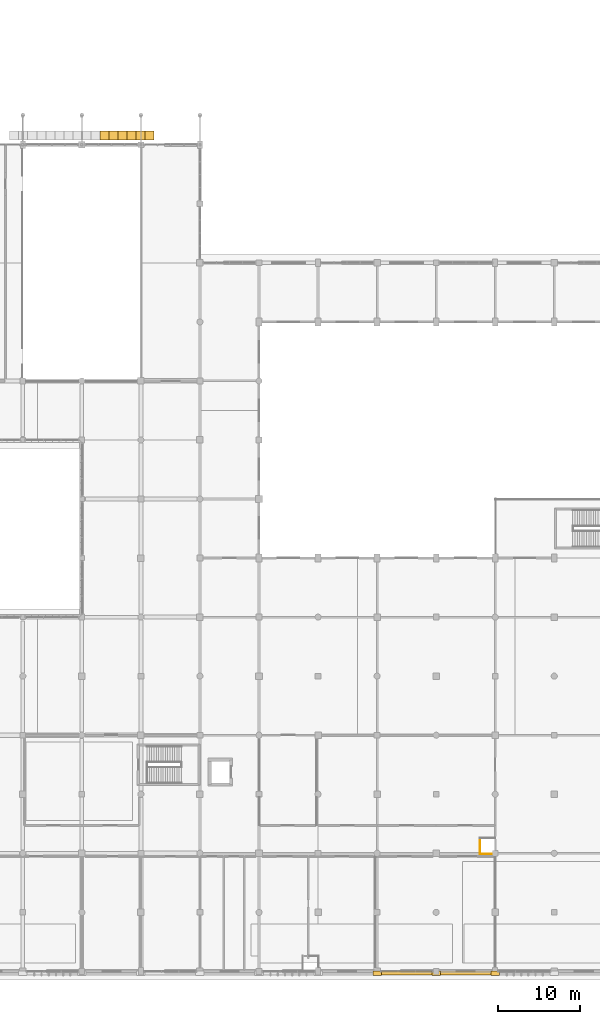
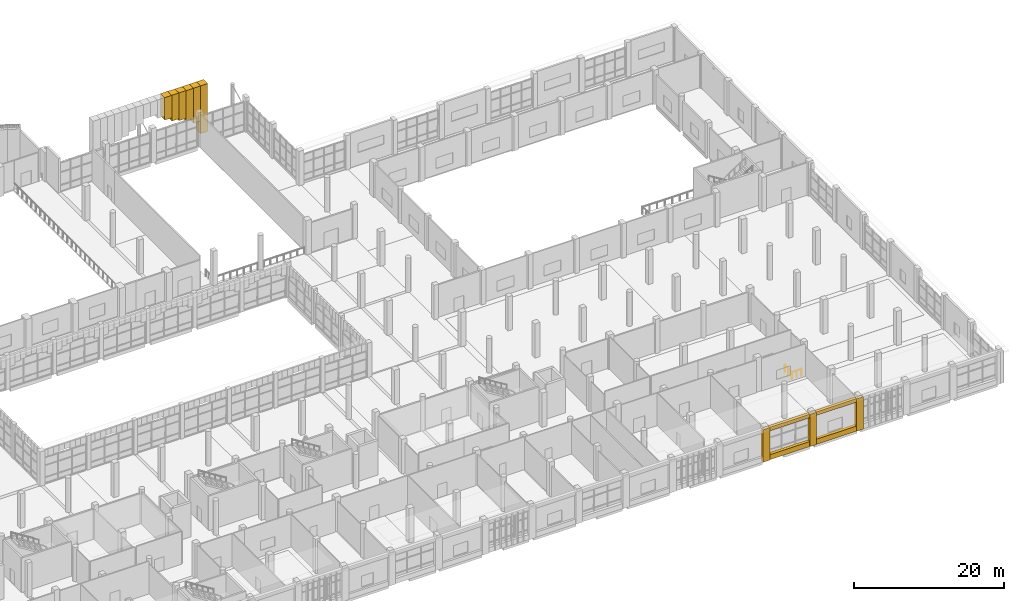
# One storey, part 78 of 80: 13 coverings, 2 railings.
"""IFC4 building model written with IfcOpenShell, lengths in metres."""

import ifcopenshell
import ifcopenshell.guid

model = None  # the IFC model being written
_history = None  # IfcOwnerHistory: only IFC2X3 demands one
_inside = {}  # id of a spatial element -> (the spatial element, [elements in it])
_under = {}  # id of a project, library or spatial element -> (it, [spatial elements below it])
_declared = {}  # id of a project -> (the project, [libraries it declares])
_typed = {}  # id of a type object -> (the type object, [elements of that type])
_made_of = {}  # id of a material, layer set ... -> (it, [elements and type objects made of it])


def new_model(schema):
    """Start an empty IFC model of exactly this schema.

    Asked for "IFC4X3", IfcOpenShell would pick the latest addendum, in which some entities
    have other attributes; the version numbers below select the first issue.
    IFC2X3 requires an IfcOwnerHistory on every rooted entity: one is made here for all.
    """
    global model, _history
    if schema == "IFC4X3":
        model = ifcopenshell.file(schema_version=(4, 3, 0, 0))
    else:
        model = ifcopenshell.file(schema=schema)
    _inside.clear()
    _under.clear()
    _declared.clear()
    _typed.clear()
    _made_of.clear()
    _history = None
    if model.schema == "IFC2X3":
        org = make("IfcOrganization", Name="unknown")
        user = make(
            "IfcPersonAndOrganization",
            ThePerson=make("IfcPerson", FamilyName="unknown"),
            TheOrganization=org,
        )
        app = make(
            "IfcApplication",
            ApplicationDeveloper=org,
            Version="unknown",
            ApplicationFullName="unknown",
            ApplicationIdentifier="unknown",
        )
        _history = make(
            "IfcOwnerHistory",
            OwningUser=user,
            OwningApplication=app,
            ChangeAction="ADDED",
            CreationDate=0,
        )
    return model


def make(cls, **values):
    """One entity of the class cls with the attributes given. An attribute that is None is left unset."""
    return model.create_entity(
        cls, **{name: value for name, value in values.items() if value is not None}
    )


def rooted(cls, **values):
    """An entity with a GlobalId (a new one), such as an element, a storey or a relation."""
    return make(cls, GlobalId=ifcopenshell.guid.new(), OwnerHistory=_history, **values)


def si_unit(unit_type, name, prefix=None):
    """IfcSIUnit, for example si_unit("LENGTHUNIT", "METRE", prefix="MILLI")."""
    return make("IfcSIUnit", UnitType=unit_type, Prefix=prefix, Name=name)


def assignment(units):
    """IfcUnitAssignment: the units of a project."""
    return None if units is None else make("IfcUnitAssignment", Units=units)


def point(xyz):
    """IfcCartesianPoint."""
    return None if xyz is None else make("IfcCartesianPoint", Coordinates=xyz)


def direction(xyz):
    """IfcDirection."""
    return None if xyz is None else make("IfcDirection", DirectionRatios=xyz)


def frame(location, z_axis=None, x_axis=None):
    """IfcAxis2Placement3D, a coordinate frame: its origin and axes. An axis left out is left unset."""
    return make(
        "IfcAxis2Placement3D",
        Location=point(location),
        Axis=direction(z_axis),
        RefDirection=direction(x_axis),
    )


def frame_2d(location, x_axis=None):
    """IfcAxis2Placement2D, a coordinate frame in the plane: its origin and x axis."""
    return make(
        "IfcAxis2Placement2D", Location=point(location), RefDirection=direction(x_axis)
    )


def origin():
    """The frame at (0, 0, 0) with its axes left unset."""
    return frame((0.0, 0.0, 0.0))


def origin_2d():
    """The frame at (0, 0) in the plane with its x axis left unset."""
    return frame_2d((0.0, 0.0))


def place(relative_to, where):
    """IfcLocalPlacement: puts the frame where relative to a parent placement (None: the world)."""
    return make(
        "IfcLocalPlacement", PlacementRelTo=relative_to, RelativePlacement=where
    )


def context(
    kind, dimensions, precision=None, world=None, true_north=None, identifier=None
):
    """IfcGeometricRepresentationContext, for example the 3D "Model" context."""
    return make(
        "IfcGeometricRepresentationContext",
        ContextIdentifier=identifier,
        ContextType=kind,
        CoordinateSpaceDimension=dimensions,
        Precision=precision,
        WorldCoordinateSystem=world,
        TrueNorth=true_north,
    )


def subcontext(parent, identifier, kind, view, scale=None):
    """IfcGeometricRepresentationSubContext, for example "Body" below "Model"."""
    return make(
        "IfcGeometricRepresentationSubContext",
        ContextIdentifier=identifier,
        ContextType=kind,
        ParentContext=parent,
        TargetScale=scale,
        TargetView=view,
    )


def project(units=None, contexts=None):
    """IfcProject with its units and contexts."""
    return rooted(
        "IfcProject",
        Name="project",
        RepresentationContexts=contexts,
        UnitsInContext=assignment(units),
    )


def spatial(cls, under=None, at=None, **own):
    """A site, building, storey or space (cls), placed at a placement, below another one or the project."""
    s = rooted(cls, ObjectPlacement=at, **own)
    if under is not None:
        _under.setdefault(under.id(), (under, []))[1].append(s)
    return s


def polyline(points):
    """IfcPolyline through the points."""
    return make("IfcPolyline", Points=[point(p) for p in points])


def profile(cls, at=None, kind="AREA", **sizes):
    """A parametric profile (cls). Its sizes go by their IFC names, for example OverallWidth=200.0."""
    return make(cls, ProfileType=kind, Position=at, **sizes)


def rectangle(**sizes):
    """IfcRectangleProfileDef."""
    return profile("IfcRectangleProfileDef", **sizes)


def circle(**sizes):
    """IfcCircleProfileDef."""
    return profile("IfcCircleProfileDef", **sizes)


def outline(outer, holes=None, kind="AREA"):
    """IfcArbitraryClosedProfileDef: a profile drawn as a closed curve; with holes, ...WithVoids."""
    if holes is None:
        return make("IfcArbitraryClosedProfileDef", ProfileType=kind, OuterCurve=outer)
    return make(
        "IfcArbitraryProfileDefWithVoids",
        ProfileType=kind,
        OuterCurve=outer,
        InnerCurves=holes,
    )


def extrude(swept, where, along, depth):
    """IfcExtrudedAreaSolid: the profile swept, set in the frame where, extruded along a direction by depth."""
    return make(
        "IfcExtrudedAreaSolid",
        SweptArea=swept,
        Position=where,
        ExtrudedDirection=direction(along),
        Depth=depth,
    )


def shape(context_of_items, identifier, shape_type, items):
    """IfcShapeRepresentation: the items that make up one representation, for example the "Body"."""
    return make(
        "IfcShapeRepresentation",
        ContextOfItems=context_of_items,
        RepresentationIdentifier=identifier,
        RepresentationType=shape_type,
        Items=items,
    )


def material(Name=None, Category=None):
    """IfcMaterial."""
    return make("IfcMaterial", Name=Name, Category=Category)


def layer(
    of_material, thickness, ventilated=None, Name=None, Category=None, Priority=None
):
    """IfcMaterialLayer: one layer of a wall or slab, of a material (None: an air gap)."""
    return make(
        "IfcMaterialLayer",
        Material=of_material,
        LayerThickness=thickness,
        IsVentilated=ventilated,
        Name=Name,
        Category=Category,
        Priority=Priority,
    )


def layer_set(layers, Name=None):
    """IfcMaterialLayerSet."""
    return make("IfcMaterialLayerSet", MaterialLayers=layers, LayerSetName=Name)


def made_of(thing, what):
    """Note that an element or type object is made of a material, layer set ...; save() writes the relation."""
    if what is not None:
        _made_of.setdefault(what.id(), (what, []))[1].append(thing)
    return thing


def type_object(cls, material=None, **own):
    """A type object (cls), such as IfcWallType, which elements share."""
    return made_of(rooted(cls, **own), material)


def element(
    cls,
    number,
    at=None,
    inside=None,
    cuts=None,
    type_object=None,
    material=None,
    context=None,
    identifier="Body",
    shape_type=None,
    held_by="IfcProductDefinitionShape",
    body=None,
    shapes=None,
    **own,
):
    """One element of the class cls, such as IfcWall. Its Tag is "e" and its number.

    at: its placement. inside: the storey or other place that contains it. cuts: it is an
    opening in that element (IfcRelVoidsElement). A single representation is given by context,
    identifier, shape_type and body (its items); several are given by shapes. held_by: the class
    of the entity that holds the representations. save() writes the other relations.
    """
    e = rooted(cls, Tag="e%d" % number, ObjectPlacement=at, **own)
    if body is not None:
        shapes = [shape(context, identifier, shape_type, body)]
    if shapes is not None:
        e.Representation = make(held_by, Representations=shapes)
    if inside is not None:
        _inside.setdefault(inside.id(), (inside, []))[1].append(e)
    if cuts is not None:
        rooted(
            "IfcRelVoidsElement", RelatingBuildingElement=cuts, RelatedOpeningElement=e
        )
    if type_object is not None:
        _typed.setdefault(type_object.id(), (type_object, []))[1].append(e)
    return made_of(e, material)


def aggregate(whole, parts):
    """IfcRelAggregates: a whole, such as a stair, and the parts it consists of."""
    return rooted("IfcRelAggregates", RelatingObject=whole, RelatedObjects=parts)


def save(model, path):
    """Write the relations noted so far, then the file.

    IfcRelAggregates (storeys below a building ...), IfcRelContainedInSpatialStructure (elements
    in a storey), IfcRelDefinesByType, IfcRelAssociatesMaterial and IfcRelDeclares: one each for
    every whole, place, type object, material and project.
    """
    for whole, parts in _under.values():
        aggregate(whole, parts)
    for where, things in _inside.values():
        rooted(
            "IfcRelContainedInSpatialStructure",
            RelatedElements=things,
            RelatingStructure=where,
        )
    for kind, things in _typed.values():
        rooted("IfcRelDefinesByType", RelatedObjects=things, RelatingType=kind)
    for what, things in _made_of.values():
        rooted("IfcRelAssociatesMaterial", RelatedObjects=things, RelatingMaterial=what)
    for by, libraries in _declared.values():
        rooted("IfcRelDeclares", RelatingContext=by, RelatedDefinitions=libraries)
    model.write(path)


model = new_model("IFC4")

# Units and contexts
model_context = context("Model", 3, precision=1e-05, world=origin(), true_north=direction((0.0, 1.0)))
body_context = subcontext(model_context, "Body", "Model", "MODEL_VIEW")
ifc_project = project(units=[si_unit("LENGTHUNIT", "METRE"), si_unit("AREAUNIT", "SQUARE_METRE"), si_unit("VOLUMEUNIT", "CUBIC_METRE"), si_unit("PLANEANGLEUNIT", "RADIAN"), si_unit("MASSUNIT", "GRAM", prefix="KILO")], contexts=[model_context])

# Site, building, storey
site_placement = place(None, origin())
site = spatial("IfcSite", under=ifc_project, at=site_placement, CompositionType="ELEMENT")
building_placement = place(site_placement, origin())
building = spatial("IfcBuilding", under=site, at=building_placement, Name="Sardonyx Promenade Sports Hall", CompositionType="ELEMENT")
storey_placement = place(building_placement, frame((0.0, 0.0, 5.60009765625)))
storey = spatial("IfcBuildingStorey", under=building, at=storey_placement, Name="L01", CompositionType="ELEMENT", Elevation=5.60009765625)

# Coverings
ifc_material_1 = material(Name="Dressed Cape red sandstone ashlar", Category="masonry")
ifc_layer_1 = layer(ifc_material_1, 0.06005859375)
ifc_layer_set_1 = layer_set([ifc_layer_1], Name="Cov_Cladding_Sandstone")
covering_type_1 = type_object("IfcCoveringType", Name="Cov_Cladding_Sandstone", PredefinedType="CLADDING", material=ifc_layer_set_1)
covering_1_placement = place(storey_placement, origin())
element("IfcCovering", 1, at=covering_1_placement, inside=storey, type_object=covering_type_1, Name="South sandstone bay pier casing L01 #18", PredefinedType="CLADDING", context=body_context, shape_type="SweptSolid", body=[
    extrude(outline(polyline([(129.080078125, -0.52001953125), (130.1201171875, -0.52001953125), (130.1201171875, 0.02001953125), (129.080078125, 0.02001953125), (129.080078125, -0.52001953125)])), origin(), (0.0, 0.0, 1.0), 5.25),
])
covering_2_placement = place(storey_placement, origin())
element("IfcCovering", 2, at=covering_2_placement, inside=storey, type_object=covering_type_1, Name="South sandstone bay pier casing L01 #19", PredefinedType="CLADDING", context=body_context, shape_type="SweptSolid", body=[
    extrude(outline(polyline([(136.280029296875, -0.52001953125), (137.320068359375, -0.52001953125), (137.320068359375, 0.02001953125), (136.280029296875, 0.02001953125), (136.280029296875, -0.52001953125)])), origin(), (0.0, 0.0, 1.0), 5.25),
])
covering_3_placement = place(storey_placement, origin())
element("IfcCovering", 3, at=covering_3_placement, inside=storey, type_object=covering_type_1, Name="South sandstone bay pier casing L01 #20", PredefinedType="CLADDING", context=body_context, shape_type="SweptSolid", body=[
    extrude(outline(polyline([(143.47998046875, -0.52001953125), (144.52001953125, -0.52001953125), (144.52001953125, 0.02001953125), (143.47998046875, 0.02001953125), (143.47998046875, -0.52001953125)])), origin(), (0.0, 0.0, 1.0), 5.25),
])
covering_4_placement = place(storey_placement, origin())
element("IfcCovering", 4, at=covering_4_placement, inside=storey, type_object=covering_type_1, Name="South sandstone sill spandrel L01 #3", PredefinedType="CLADDING", context=body_context, shape_type="SweptSolid", body=[
    extrude(outline(polyline([(137.320068359375, -0.4599609375), (143.47998046875, -0.4599609375), (143.47998046875, 0.02001953125), (137.320068359375, 0.02001953125), (137.320068359375, -0.4599609375)])), origin(), (0.0, 0.0, 1.0), 0.81982421875),
])
covering_5_placement = place(storey_placement, frame((0.0, 0.0, 4.699951171875)))
element("IfcCovering", 5, at=covering_5_placement, inside=storey, type_object=covering_type_1, Name="South sandstone lintel frieze L01 #3", PredefinedType="CLADDING", context=body_context, shape_type="SweptSolid", body=[
    extrude(outline(polyline([(137.320068359375, -0.4599609375), (143.47998046875, -0.4599609375), (143.47998046875, 0.02001953125), (137.320068359375, 0.02001953125), (137.320068359375, -0.4599609375)])), origin(), (0.0, 0.0, 1.0), 0.550048828125),
])
covering_6_placement = place(storey_placement, origin())
element("IfcCovering", 6, at=covering_6_placement, inside=storey, type_object=covering_type_1, Name="South sandstone sill spandrel L01 #4", PredefinedType="CLADDING", context=body_context, shape_type="SweptSolid", body=[
    extrude(outline(polyline([(130.1201171875, -0.4599609375), (136.280029296875, -0.4599609375), (136.280029296875, 0.02001953125), (130.1201171875, 0.02001953125), (130.1201171875, -0.4599609375)])), origin(), (0.0, 0.0, 1.0), 0.81982421875),
])
covering_7_placement = place(storey_placement, frame((0.0, 0.0, 4.699951171875)))
element("IfcCovering", 7, at=covering_7_placement, inside=storey, type_object=covering_type_1, Name="South sandstone lintel frieze L01 #4", PredefinedType="CLADDING", context=body_context, shape_type="SweptSolid", body=[
    extrude(outline(polyline([(130.1201171875, -0.4599609375), (136.280029296875, -0.4599609375), (136.280029296875, 0.02001953125), (130.1201171875, 0.02001953125), (130.1201171875, -0.4599609375)])), origin(), (0.0, 0.0, 1.0), 0.550048828125),
])
ifc_material_2 = material(Name="Carved Cape red sandstone ashlar", Category="masonry")
ifc_layer_2 = layer(ifc_material_2, 0.239990234375)
ifc_layer_set_2 = layer_set([ifc_layer_2], Name="Cov_Mughal_Arch")
covering_type_2 = type_object("IfcCoveringType", Name="Cov_Mughal_Arch", PredefinedType="CLADDING", material=ifc_layer_set_2)
covering_8_placement = place(storey_placement, frame((95.800048828125, 101.89990234375, 5.555419921875), z_axis=(0.0, 0.0, 1.0), x_axis=(1.0, 0.0, 0.0)))
element("IfcCovering", 8, at=covering_8_placement, inside=storey, type_object=covering_type_2, Name="Mughal pointed-arch spandrel L01 cov:pishtaq:iwan #11", PredefinedType="CLADDING", context=body_context, shape_type="SweptSolid", body=[
    extrude(rectangle(XDim=1.099853515625, YDim=1.10009765625, at=frame_2d((0.5498046875, 0.0))), origin(), (0.0, 0.0, 1.0), 3.64453125),
])
covering_9_placement = place(storey_placement, frame((96.89990234375, 101.89990234375, 5.018798828125), z_axis=(0.0, 0.0, 1.0), x_axis=(1.0, 0.0, 0.0)))
element("IfcCovering", 9, at=covering_9_placement, inside=storey, type_object=covering_type_2, Name="Mughal pointed-arch spandrel L01 cov:pishtaq:iwan #12", PredefinedType="CLADDING", context=body_context, shape_type="SweptSolid", body=[
    extrude(rectangle(XDim=1.10009765625, YDim=1.10009765625, at=frame_2d((0.550048828125, 0.0))), origin(), (0.0, 0.0, 1.0), 4.18115234375),
])
covering_10_placement = place(storey_placement, frame((98.0, 101.89990234375, 4.690673828125), z_axis=(0.0, 0.0, 1.0), x_axis=(1.0, 0.0, 0.0)))
element("IfcCovering", 10, at=covering_10_placement, inside=storey, type_object=covering_type_2, Name="Mughal pointed-arch spandrel L01 cov:pishtaq:iwan #13", PredefinedType="CLADDING", context=body_context, shape_type="SweptSolid", body=[
    extrude(rectangle(XDim=1.10009765625, YDim=1.10009765625, at=frame_2d((0.550048828125, 0.0))), origin(), (0.0, 0.0, 1.0), 4.50927734375),
])
covering_11_placement = place(storey_placement, frame((99.10009765625, 101.89990234375, 4.2939453125), z_axis=(0.0, 0.0, 1.0), x_axis=(1.0, 0.0, 0.0)))
element("IfcCovering", 11, at=covering_11_placement, inside=storey, type_object=covering_type_2, Name="Mughal pointed-arch spandrel L01 cov:pishtaq:iwan #14", PredefinedType="CLADDING", context=body_context, shape_type="SweptSolid", body=[
    extrude(rectangle(XDim=1.099853515625, YDim=1.10009765625, at=frame_2d((0.5498046875, 0.0))), origin(), (0.0, 0.0, 1.0), 4.906005859375),
])
covering_12_placement = place(storey_placement, frame((100.199951171875, 101.89990234375, 3.505615234375), z_axis=(0.0, 0.0, 1.0), x_axis=(1.0, 0.0, 0.0)))
element("IfcCovering", 12, at=covering_12_placement, inside=storey, type_object=covering_type_2, Name="Mughal pointed-arch spandrel L01 cov:pishtaq:iwan #15", PredefinedType="CLADDING", context=body_context, shape_type="SweptSolid", body=[
    extrude(rectangle(XDim=1.10009765625, YDim=1.10009765625, at=frame_2d((0.550048828125, 0.0))), origin(), (0.0, 0.0, 1.0), 5.6943359375),
])
covering_13_placement = place(storey_placement, frame((101.300048828125, 101.89990234375, 1.39697265625), z_axis=(0.0, 0.0, 1.0), x_axis=(1.0, 0.0, 0.0)))
element("IfcCovering", 13, at=covering_13_placement, inside=storey, type_object=covering_type_2, Name="Mughal pointed-arch spandrel L01 cov:pishtaq:iwan #16", PredefinedType="CLADDING", context=body_context, shape_type="SweptSolid", body=[
    extrude(rectangle(XDim=1.099853515625, YDim=1.10009765625, at=frame_2d((0.5498046875, 0.0))), origin(), (0.0, 0.0, 1.0), 7.802978515625),
])

# Railings
ifc_material_3 = material(Name="Powder-coated Steel S355JR", Category="steel")
railing_type = type_object("IfcRailingType", Name="Rail_Int_Guard_1100", PredefinedType="GUARDRAIL", material=ifc_material_3)
railing_1_placement = place(storey_placement, frame((143.550048828125, 14.330078125, 0.0)))
element("IfcRailing", 14, at=railing_1_placement, inside=storey, type_object=railing_type, Name="Deck-edge guardrail GR02 L01 #26", PredefinedType="GUARDRAIL", context=body_context, shape_type="SweptSolid", body=[
    extrude(circle(Radius=0.02392578125, at=origin_2d()), frame((0.0, 0.0, 1.09619140625), z_axis=(-1.0, 0.0, 0.0), x_axis=(0.0, -1.0, 0.0)), (0.0, 0.0, 1.0), 1.429931640625),
    extrude(circle(Radius=0.02099609375, at=origin_2d()), origin(), (0.0, 0.0, 1.0), 1.072021484375),
    extrude(circle(Radius=0.02099609375, at=origin_2d()), frame((-0.71484375, 0.0, 0.0)), (0.0, 0.0, 1.0), 1.072021484375),
    extrude(circle(Radius=0.02099609375, at=origin_2d()), frame((-1.429931640625, 0.0, 0.0)), (0.0, 0.0, 1.0), 1.072021484375),
])
railing_2_placement = place(storey_placement, frame((142.1298828125, 14.320068359375, 0.0)))
element("IfcRailing", 15, at=railing_2_placement, inside=storey, type_object=railing_type, Name="Deck-edge guardrail GR02 L01 #27", PredefinedType="GUARDRAIL", context=body_context, shape_type="SweptSolid", body=[
    extrude(circle(Radius=0.02392578125, at=origin_2d()), frame((0.0, 0.0, 1.09619140625), z_axis=(0.0, 1.0, 0.0), x_axis=(-1.0, 0.0, 0.0)), (0.0, 0.0, 1.0), 1.9599609375),
    extrude(circle(Radius=0.02099609375, at=origin_2d()), origin(), (0.0, 0.0, 1.0), 1.072021484375),
    extrude(circle(Radius=0.02099609375, at=origin_2d()), frame((0.0, 0.97998046875, 0.0)), (0.0, 0.0, 1.0), 1.072021484375),
    extrude(circle(Radius=0.02099609375, at=origin_2d()), frame((0.0, 1.9599609375, 0.0)), (0.0, 0.0, 1.0), 1.072021484375),
])

save(model, "model.ifc")
